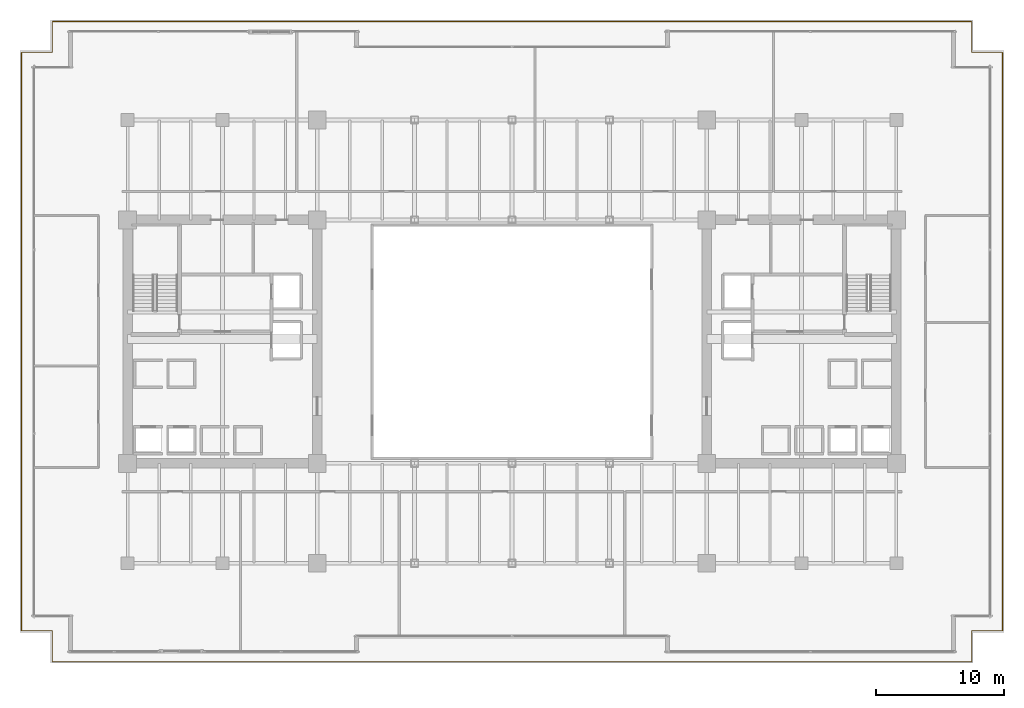
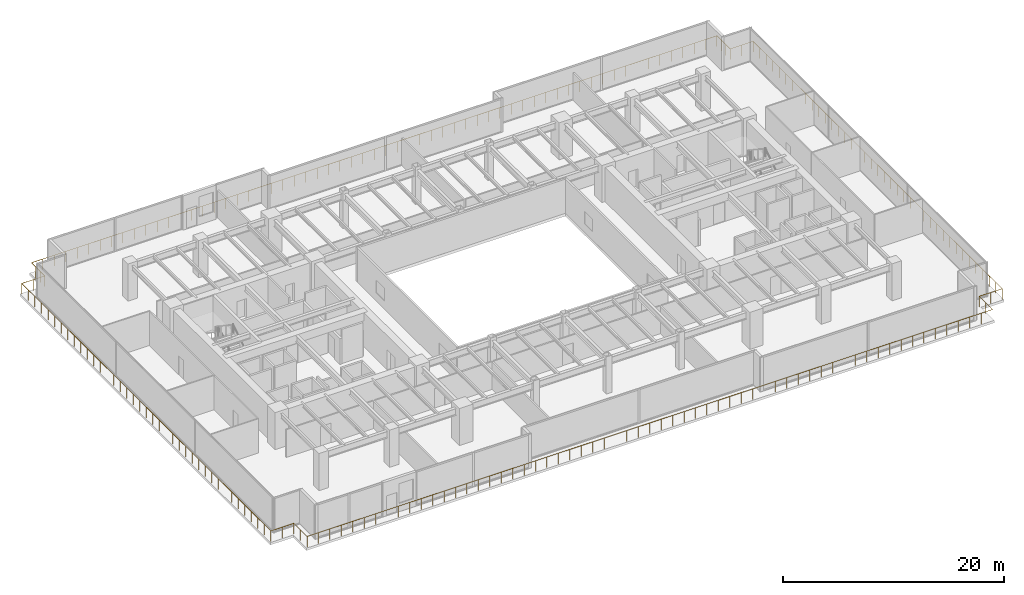
# One storey, part 35 of 36: 1 railing.
"""IFC4 building model written with IfcOpenShell, lengths in metres."""

from ifc_helpers import new_model, si_unit, direction, frame, origin, origin_2d, place, context, subcontext, project, spatial, circle, extrude, source, transform, mapped, material, type_object, type_shapes, element, save


model = new_model("IFC4")

# Units and contexts
model_context = context("Model", 3, precision=1e-05, world=origin(), true_north=direction((0.0, 1.0)))
body_context = subcontext(model_context, "Body", "Model", "MODEL_VIEW")
ifc_project = project(units=[si_unit("LENGTHUNIT", "METRE"), si_unit("AREAUNIT", "SQUARE_METRE"), si_unit("VOLUMEUNIT", "CUBIC_METRE"), si_unit("PLANEANGLEUNIT", "RADIAN"), si_unit("MASSUNIT", "GRAM", prefix="KILO")], contexts=[model_context])

# Site, building, storey
site_placement = place(None, origin())
site = spatial("IfcSite", under=ifc_project, at=site_placement, CompositionType="ELEMENT")
building_placement = place(site_placement, origin())
building = spatial("IfcBuilding", under=site, at=building_placement, Name="Haelvirn Gate Laboratories", CompositionType="ELEMENT")
storey_placement = place(building_placement, frame((0.0, 0.0, 25.199951171875)))
storey = spatial("IfcBuildingStorey", under=building, at=storey_placement, Name="L06", CompositionType="ELEMENT", Elevation=25.199951171875)

# Railing
ifc_material = material(Name="Laminated safety glass & bronze stainless steel 316L", Category="steel")
railing_type = type_object("IfcRailingType", Name="RLG-BAL-1200", PredefinedType="BALUSTRADE", material=ifc_material)
shared_shape = source(origin(), body_context, "Body", "SweptSolid", [
    extrude(circle(Radius=0.02392578125, at=origin_2d()), frame((0.0, 0.0, 1.17578125), z_axis=(1.0, 0.0, 0.0), x_axis=(0.0, 1.0, 0.0)), (0.0, 0.0, 1.0), 71.760009765625),
    extrude(circle(Radius=0.02392578125, at=origin_2d()), frame((71.760009765625, 0.0, 1.17578125), z_axis=(0.0, 1.0, 0.0), x_axis=(-1.0, 0.0, 0.0)), (0.0, 0.0, 1.0), 2.39990234375),
    extrude(circle(Radius=0.02392578125, at=origin_2d()), frame((71.760009765625, 2.39990234375, 1.17578125), z_axis=(1.0, 0.0, 0.0), x_axis=(0.0, 1.0, 0.0)), (0.0, 0.0, 1.0), 2.39990234375),
    extrude(circle(Radius=0.02392578125, at=origin_2d()), frame((74.159912109375, 2.39990234375, 1.17578125), z_axis=(0.0, 1.0, 0.0), x_axis=(-1.0, 0.0, 0.0)), (0.0, 0.0, 1.0), 45.159912109375),
    extrude(circle(Radius=0.02392578125, at=origin_2d()), frame((74.159912109375, 47.559814453125, 1.17578125), z_axis=(-1.0, 0.0, 0.0), x_axis=(0.0, -1.0, 0.0)), (0.0, 0.0, 1.0), 2.39990234375),
    extrude(circle(Radius=0.02392578125, at=origin_2d()), frame((71.760009765625, 47.559814453125, 1.17578125), z_axis=(0.0, 1.0, 0.0), x_axis=(-1.0, 0.0, 0.0)), (0.0, 0.0, 1.0), 2.400146484375),
    extrude(circle(Radius=0.02392578125, at=origin_2d()), frame((71.760009765625, 49.9599609375, 1.17578125), z_axis=(-1.0, 0.0, 0.0), x_axis=(0.0, -1.0, 0.0)), (0.0, 0.0, 1.0), 71.760009765625),
    extrude(circle(Radius=0.02392578125, at=origin_2d()), frame((0.0, 49.9599609375, 1.17578125), z_axis=(0.0, -1.0, 0.0), x_axis=(1.0, 0.0, 0.0)), (0.0, 0.0, 1.0), 2.400146484375),
    extrude(circle(Radius=0.02392578125, at=origin_2d()), frame((0.0, 47.559814453125, 1.17578125), z_axis=(-1.0, 0.0, 0.0), x_axis=(0.0, -1.0, 0.0)), (0.0, 0.0, 1.0), 2.39990234375),
    extrude(circle(Radius=0.02392578125, at=origin_2d()), frame((-2.39990234375, 47.559814453125, 1.17578125), z_axis=(0.0, -1.0, 0.0), x_axis=(1.0, 0.0, 0.0)), (0.0, 0.0, 1.0), 45.159912109375),
    extrude(circle(Radius=0.02392578125, at=origin_2d()), frame((-2.39990234375, 2.39990234375, 1.17578125), z_axis=(1.0, 0.0, 0.0), x_axis=(0.0, 1.0, 0.0)), (0.0, 0.0, 1.0), 2.39990234375),
    extrude(circle(Radius=0.02392578125, at=origin_2d()), frame((0.0, 2.39990234375, 1.17578125), z_axis=(0.0, -1.0, 0.0), x_axis=(1.0, 0.0, 0.0)), (0.0, 0.0, 1.0), 2.39990234375),
    extrude(circle(Radius=0.02099609375, at=origin_2d()), origin(), (0.0, 0.0, 1.0), 1.15185546875),
    extrude(circle(Radius=0.02099609375, at=origin_2d()), frame((1.196044921875, 0.0, 0.0)), (0.0, 0.0, 1.0), 1.15185546875),
    extrude(circle(Radius=0.02099609375, at=origin_2d()), frame((2.39208984375, 0.0, 0.0)), (0.0, 0.0, 1.0), 1.15185546875),
    extrude(circle(Radius=0.02099609375, at=origin_2d()), frame((3.587890625, 0.0, 0.0)), (0.0, 0.0, 1.0), 1.15185546875),
    extrude(circle(Radius=0.02099609375, at=origin_2d()), frame((4.783935546875, 0.0, 0.0)), (0.0, 0.0, 1.0), 1.15185546875),
    extrude(circle(Radius=0.02099609375, at=origin_2d()), frame((5.97998046875, 0.0, 0.0)), (0.0, 0.0, 1.0), 1.15185546875),
    extrude(circle(Radius=0.02099609375, at=origin_2d()), frame((7.176025390625, 0.0, 0.0)), (0.0, 0.0, 1.0), 1.15185546875),
    extrude(circle(Radius=0.02099609375, at=origin_2d()), frame((8.3720703125, 0.0, 0.0)), (0.0, 0.0, 1.0), 1.15185546875),
    extrude(circle(Radius=0.02099609375, at=origin_2d()), frame((9.568115234375, 0.0, 0.0)), (0.0, 0.0, 1.0), 1.15185546875),
    extrude(circle(Radius=0.02099609375, at=origin_2d()), frame((10.763916015625, 0.0, 0.0)), (0.0, 0.0, 1.0), 1.15185546875),
    extrude(circle(Radius=0.02099609375, at=origin_2d()), frame((11.9599609375, 0.0, 0.0)), (0.0, 0.0, 1.0), 1.15185546875),
    extrude(circle(Radius=0.02099609375, at=origin_2d()), frame((13.156005859375, 0.0, 0.0)), (0.0, 0.0, 1.0), 1.15185546875),
    extrude(circle(Radius=0.02099609375, at=origin_2d()), frame((14.35205078125, 0.0, 0.0)), (0.0, 0.0, 1.0), 1.15185546875),
    extrude(circle(Radius=0.02099609375, at=origin_2d()), frame((15.548095703125, 0.0, 0.0)), (0.0, 0.0, 1.0), 1.15185546875),
    extrude(circle(Radius=0.02099609375, at=origin_2d()), frame((16.743896484375, 0.0, 0.0)), (0.0, 0.0, 1.0), 1.15185546875),
    extrude(circle(Radius=0.02099609375, at=origin_2d()), frame((17.93994140625, 0.0, 0.0)), (0.0, 0.0, 1.0), 1.15185546875),
    extrude(circle(Radius=0.02099609375, at=origin_2d()), frame((19.135986328125, 0.0, 0.0)), (0.0, 0.0, 1.0), 1.15185546875),
    extrude(circle(Radius=0.02099609375, at=origin_2d()), frame((20.33203125, 0.0, 0.0)), (0.0, 0.0, 1.0), 1.15185546875),
    extrude(circle(Radius=0.02099609375, at=origin_2d()), frame((21.528076171875, 0.0, 0.0)), (0.0, 0.0, 1.0), 1.15185546875),
    extrude(circle(Radius=0.02099609375, at=origin_2d()), frame((22.72412109375, 0.0, 0.0)), (0.0, 0.0, 1.0), 1.15185546875),
    extrude(circle(Radius=0.02099609375, at=origin_2d()), frame((23.919921875, 0.0, 0.0)), (0.0, 0.0, 1.0), 1.15185546875),
    extrude(circle(Radius=0.02099609375, at=origin_2d()), frame((25.115966796875, 0.0, 0.0)), (0.0, 0.0, 1.0), 1.15185546875),
    extrude(circle(Radius=0.02099609375, at=origin_2d()), frame((26.31201171875, 0.0, 0.0)), (0.0, 0.0, 1.0), 1.15185546875),
    extrude(circle(Radius=0.02099609375, at=origin_2d()), frame((27.508056640625, 0.0, 0.0)), (0.0, 0.0, 1.0), 1.15185546875),
    extrude(circle(Radius=0.02099609375, at=origin_2d()), frame((28.7041015625, 0.0, 0.0)), (0.0, 0.0, 1.0), 1.15185546875),
    extrude(circle(Radius=0.02099609375, at=origin_2d()), frame((29.89990234375, 0.0, 0.0)), (0.0, 0.0, 1.0), 1.15185546875),
    extrude(circle(Radius=0.02099609375, at=origin_2d()), frame((31.095947265625, 0.0, 0.0)), (0.0, 0.0, 1.0), 1.15185546875),
    extrude(circle(Radius=0.02099609375, at=origin_2d()), frame((32.2919921875, 0.0, 0.0)), (0.0, 0.0, 1.0), 1.15185546875),
    extrude(circle(Radius=0.02099609375, at=origin_2d()), frame((33.488037109375, 0.0, 0.0)), (0.0, 0.0, 1.0), 1.15185546875),
    extrude(circle(Radius=0.02099609375, at=origin_2d()), frame((34.68408203125, 0.0, 0.0)), (0.0, 0.0, 1.0), 1.15185546875),
    extrude(circle(Radius=0.02099609375, at=origin_2d()), frame((35.8798828125, 0.0, 0.0)), (0.0, 0.0, 1.0), 1.15185546875),
    extrude(circle(Radius=0.02099609375, at=origin_2d()), frame((37.075927734375, 0.0, 0.0)), (0.0, 0.0, 1.0), 1.15185546875),
    extrude(circle(Radius=0.02099609375, at=origin_2d()), frame((38.27197265625, 0.0, 0.0)), (0.0, 0.0, 1.0), 1.15185546875),
    extrude(circle(Radius=0.02099609375, at=origin_2d()), frame((39.468017578125, 0.0, 0.0)), (0.0, 0.0, 1.0), 1.15185546875),
    extrude(circle(Radius=0.02099609375, at=origin_2d()), frame((40.6640625, 0.0, 0.0)), (0.0, 0.0, 1.0), 1.15185546875),
    extrude(circle(Radius=0.02099609375, at=origin_2d()), frame((41.860107421875, 0.0, 0.0)), (0.0, 0.0, 1.0), 1.15185546875),
    extrude(circle(Radius=0.02099609375, at=origin_2d()), frame((43.055908203125, 0.0, 0.0)), (0.0, 0.0, 1.0), 1.15185546875),
    extrude(circle(Radius=0.02099609375, at=origin_2d()), frame((44.251953125, 0.0, 0.0)), (0.0, 0.0, 1.0), 1.15185546875),
    extrude(circle(Radius=0.02099609375, at=origin_2d()), frame((45.447998046875, 0.0, 0.0)), (0.0, 0.0, 1.0), 1.15185546875),
    extrude(circle(Radius=0.02099609375, at=origin_2d()), frame((46.64404296875, 0.0, 0.0)), (0.0, 0.0, 1.0), 1.15185546875),
    extrude(circle(Radius=0.02099609375, at=origin_2d()), frame((47.840087890625, 0.0, 0.0)), (0.0, 0.0, 1.0), 1.15185546875),
    extrude(circle(Radius=0.02099609375, at=origin_2d()), frame((49.035888671875, 0.0, 0.0)), (0.0, 0.0, 1.0), 1.15185546875),
    extrude(circle(Radius=0.02099609375, at=origin_2d()), frame((50.23193359375, 0.0, 0.0)), (0.0, 0.0, 1.0), 1.15185546875),
    extrude(circle(Radius=0.02099609375, at=origin_2d()), frame((51.427978515625, 0.0, 0.0)), (0.0, 0.0, 1.0), 1.15185546875),
    extrude(circle(Radius=0.02099609375, at=origin_2d()), frame((52.6240234375, 0.0, 0.0)), (0.0, 0.0, 1.0), 1.15185546875),
    extrude(circle(Radius=0.02099609375, at=origin_2d()), frame((53.820068359375, 0.0, 0.0)), (0.0, 0.0, 1.0), 1.15185546875),
    extrude(circle(Radius=0.02099609375, at=origin_2d()), frame((55.01611328125, 0.0, 0.0)), (0.0, 0.0, 1.0), 1.15185546875),
    extrude(circle(Radius=0.02099609375, at=origin_2d()), frame((56.2119140625, 0.0, 0.0)), (0.0, 0.0, 1.0), 1.15185546875),
    extrude(circle(Radius=0.02099609375, at=origin_2d()), frame((57.407958984375, 0.0, 0.0)), (0.0, 0.0, 1.0), 1.15185546875),
    extrude(circle(Radius=0.02099609375, at=origin_2d()), frame((58.60400390625, 0.0, 0.0)), (0.0, 0.0, 1.0), 1.15185546875),
    extrude(circle(Radius=0.02099609375, at=origin_2d()), frame((59.800048828125, 0.0, 0.0)), (0.0, 0.0, 1.0), 1.15185546875),
    extrude(circle(Radius=0.02099609375, at=origin_2d()), frame((60.99609375, 0.0, 0.0)), (0.0, 0.0, 1.0), 1.15185546875),
    extrude(circle(Radius=0.02099609375, at=origin_2d()), frame((62.19189453125, 0.0, 0.0)), (0.0, 0.0, 1.0), 1.15185546875),
    extrude(circle(Radius=0.02099609375, at=origin_2d()), frame((63.387939453125, 0.0, 0.0)), (0.0, 0.0, 1.0), 1.15185546875),
    extrude(circle(Radius=0.02099609375, at=origin_2d()), frame((64.583984375, 0.0, 0.0)), (0.0, 0.0, 1.0), 1.15185546875),
    extrude(circle(Radius=0.02099609375, at=origin_2d()), frame((65.780029296875, 0.0, 0.0)), (0.0, 0.0, 1.0), 1.15185546875),
    extrude(circle(Radius=0.02099609375, at=origin_2d()), frame((66.97607421875, 0.0, 0.0)), (0.0, 0.0, 1.0), 1.15185546875),
    extrude(circle(Radius=0.02099609375, at=origin_2d()), frame((68.172119140625, 0.0, 0.0)), (0.0, 0.0, 1.0), 1.15185546875),
    extrude(circle(Radius=0.02099609375, at=origin_2d()), frame((69.367919921875, 0.0, 0.0)), (0.0, 0.0, 1.0), 1.15185546875),
    extrude(circle(Radius=0.02099609375, at=origin_2d()), frame((70.56396484375, 0.0, 0.0)), (0.0, 0.0, 1.0), 1.15185546875),
    extrude(circle(Radius=0.02099609375, at=origin_2d()), frame((71.760009765625, 0.0, 0.0)), (0.0, 0.0, 1.0), 1.15185546875),
    extrude(circle(Radius=0.02099609375, at=origin_2d()), frame((71.760009765625, 1.199951171875, 0.0)), (0.0, 0.0, 1.0), 1.15185546875),
    extrude(circle(Radius=0.02099609375, at=origin_2d()), frame((71.760009765625, 2.39990234375, 0.0)), (0.0, 0.0, 1.0), 1.15185546875),
    extrude(circle(Radius=0.02099609375, at=origin_2d()), frame((72.9599609375, 2.39990234375, 0.0)), (0.0, 0.0, 1.0), 1.15185546875),
    extrude(circle(Radius=0.02099609375, at=origin_2d()), frame((74.159912109375, 2.39990234375, 0.0)), (0.0, 0.0, 1.0), 1.15185546875),
    extrude(circle(Radius=0.02099609375, at=origin_2d()), frame((74.159912109375, 3.58837890625, 0.0)), (0.0, 0.0, 1.0), 1.15185546875),
    extrude(circle(Radius=0.02099609375, at=origin_2d()), frame((74.159912109375, 4.77685546875, 0.0)), (0.0, 0.0, 1.0), 1.15185546875),
    extrude(circle(Radius=0.02099609375, at=origin_2d()), frame((74.159912109375, 5.965087890625, 0.0)), (0.0, 0.0, 1.0), 1.15185546875),
    extrude(circle(Radius=0.02099609375, at=origin_2d()), frame((74.159912109375, 7.153564453125, 0.0)), (0.0, 0.0, 1.0), 1.15185546875),
    extrude(circle(Radius=0.02099609375, at=origin_2d()), frame((74.159912109375, 8.342041015625, 0.0)), (0.0, 0.0, 1.0), 1.15185546875),
    extrude(circle(Radius=0.02099609375, at=origin_2d()), frame((74.159912109375, 9.530517578125, 0.0)), (0.0, 0.0, 1.0), 1.15185546875),
    extrude(circle(Radius=0.02099609375, at=origin_2d()), frame((74.159912109375, 10.71875, 0.0)), (0.0, 0.0, 1.0), 1.15185546875),
    extrude(circle(Radius=0.02099609375, at=origin_2d()), frame((74.159912109375, 11.9072265625, 0.0)), (0.0, 0.0, 1.0), 1.15185546875),
    extrude(circle(Radius=0.02099609375, at=origin_2d()), frame((74.159912109375, 13.095703125, 0.0)), (0.0, 0.0, 1.0), 1.15185546875),
    extrude(circle(Radius=0.02099609375, at=origin_2d()), frame((74.159912109375, 14.2841796875, 0.0)), (0.0, 0.0, 1.0), 1.15185546875),
    extrude(circle(Radius=0.02099609375, at=origin_2d()), frame((74.159912109375, 15.472412109375, 0.0)), (0.0, 0.0, 1.0), 1.15185546875),
    extrude(circle(Radius=0.02099609375, at=origin_2d()), frame((74.159912109375, 16.660888671875, 0.0)), (0.0, 0.0, 1.0), 1.15185546875),
    extrude(circle(Radius=0.02099609375, at=origin_2d()), frame((74.159912109375, 17.849365234375, 0.0)), (0.0, 0.0, 1.0), 1.15185546875),
    extrude(circle(Radius=0.02099609375, at=origin_2d()), frame((74.159912109375, 19.037841796875, 0.0)), (0.0, 0.0, 1.0), 1.15185546875),
    extrude(circle(Radius=0.02099609375, at=origin_2d()), frame((74.159912109375, 20.22607421875, 0.0)), (0.0, 0.0, 1.0), 1.15185546875),
    extrude(circle(Radius=0.02099609375, at=origin_2d()), frame((74.159912109375, 21.41455078125, 0.0)), (0.0, 0.0, 1.0), 1.15185546875),
    extrude(circle(Radius=0.02099609375, at=origin_2d()), frame((74.159912109375, 22.60302734375, 0.0)), (0.0, 0.0, 1.0), 1.15185546875),
    extrude(circle(Radius=0.02099609375, at=origin_2d()), frame((74.159912109375, 23.79150390625, 0.0)), (0.0, 0.0, 1.0), 1.15185546875),
    extrude(circle(Radius=0.02099609375, at=origin_2d()), frame((74.159912109375, 24.97998046875, 0.0)), (0.0, 0.0, 1.0), 1.15185546875),
    extrude(circle(Radius=0.02099609375, at=origin_2d()), frame((74.159912109375, 26.168212890625, 0.0)), (0.0, 0.0, 1.0), 1.15185546875),
    extrude(circle(Radius=0.02099609375, at=origin_2d()), frame((74.159912109375, 27.356689453125, 0.0)), (0.0, 0.0, 1.0), 1.15185546875),
    extrude(circle(Radius=0.02099609375, at=origin_2d()), frame((74.159912109375, 28.545166015625, 0.0)), (0.0, 0.0, 1.0), 1.15185546875),
    extrude(circle(Radius=0.02099609375, at=origin_2d()), frame((74.159912109375, 29.733642578125, 0.0)), (0.0, 0.0, 1.0), 1.15185546875),
    extrude(circle(Radius=0.02099609375, at=origin_2d()), frame((74.159912109375, 30.921875, 0.0)), (0.0, 0.0, 1.0), 1.15185546875),
    extrude(circle(Radius=0.02099609375, at=origin_2d()), frame((74.159912109375, 32.1103515625, 0.0)), (0.0, 0.0, 1.0), 1.15185546875),
    extrude(circle(Radius=0.02099609375, at=origin_2d()), frame((74.159912109375, 33.298828125, 0.0)), (0.0, 0.0, 1.0), 1.15185546875),
    extrude(circle(Radius=0.02099609375, at=origin_2d()), frame((74.159912109375, 34.4873046875, 0.0)), (0.0, 0.0, 1.0), 1.15185546875),
    extrude(circle(Radius=0.02099609375, at=origin_2d()), frame((74.159912109375, 35.675537109375, 0.0)), (0.0, 0.0, 1.0), 1.15185546875),
    extrude(circle(Radius=0.02099609375, at=origin_2d()), frame((74.159912109375, 36.864013671875, 0.0)), (0.0, 0.0, 1.0), 1.15185546875),
    extrude(circle(Radius=0.02099609375, at=origin_2d()), frame((74.159912109375, 38.052490234375, 0.0)), (0.0, 0.0, 1.0), 1.15185546875),
    extrude(circle(Radius=0.02099609375, at=origin_2d()), frame((74.159912109375, 39.240966796875, 0.0)), (0.0, 0.0, 1.0), 1.15185546875),
    extrude(circle(Radius=0.02099609375, at=origin_2d()), frame((74.159912109375, 40.42919921875, 0.0)), (0.0, 0.0, 1.0), 1.15185546875),
    extrude(circle(Radius=0.02099609375, at=origin_2d()), frame((74.159912109375, 41.61767578125, 0.0)), (0.0, 0.0, 1.0), 1.15185546875),
    extrude(circle(Radius=0.02099609375, at=origin_2d()), frame((74.159912109375, 42.80615234375, 0.0)), (0.0, 0.0, 1.0), 1.15185546875),
    extrude(circle(Radius=0.02099609375, at=origin_2d()), frame((74.159912109375, 43.99462890625, 0.0)), (0.0, 0.0, 1.0), 1.15185546875),
    extrude(circle(Radius=0.02099609375, at=origin_2d()), frame((74.159912109375, 45.182861328125, 0.0)), (0.0, 0.0, 1.0), 1.15185546875),
    extrude(circle(Radius=0.02099609375, at=origin_2d()), frame((74.159912109375, 46.371337890625, 0.0)), (0.0, 0.0, 1.0), 1.15185546875),
    extrude(circle(Radius=0.02099609375, at=origin_2d()), frame((74.159912109375, 47.559814453125, 0.0)), (0.0, 0.0, 1.0), 1.15185546875),
    extrude(circle(Radius=0.02099609375, at=origin_2d()), frame((72.9599609375, 47.559814453125, 0.0)), (0.0, 0.0, 1.0), 1.15185546875),
    extrude(circle(Radius=0.02099609375, at=origin_2d()), frame((71.760009765625, 47.559814453125, 0.0)), (0.0, 0.0, 1.0), 1.15185546875),
    extrude(circle(Radius=0.02099609375, at=origin_2d()), frame((71.760009765625, 48.35986328125, 0.0)), (0.0, 0.0, 1.0), 1.15185546875),
    extrude(circle(Radius=0.02099609375, at=origin_2d()), frame((71.760009765625, 49.159912109375, 0.0)), (0.0, 0.0, 1.0), 1.15185546875),
    extrude(circle(Radius=0.02099609375, at=origin_2d()), frame((71.760009765625, 49.9599609375, 0.0)), (0.0, 0.0, 1.0), 1.15185546875),
    extrude(circle(Radius=0.02099609375, at=origin_2d()), frame((70.56396484375, 49.9599609375, 0.0)), (0.0, 0.0, 1.0), 1.15185546875),
    extrude(circle(Radius=0.02099609375, at=origin_2d()), frame((69.367919921875, 49.9599609375, 0.0)), (0.0, 0.0, 1.0), 1.15185546875),
    extrude(circle(Radius=0.02099609375, at=origin_2d()), frame((68.172119140625, 49.9599609375, 0.0)), (0.0, 0.0, 1.0), 1.15185546875),
    extrude(circle(Radius=0.02099609375, at=origin_2d()), frame((66.97607421875, 49.9599609375, 0.0)), (0.0, 0.0, 1.0), 1.15185546875),
    extrude(circle(Radius=0.02099609375, at=origin_2d()), frame((65.780029296875, 49.9599609375, 0.0)), (0.0, 0.0, 1.0), 1.15185546875),
    extrude(circle(Radius=0.02099609375, at=origin_2d()), frame((64.583984375, 49.9599609375, 0.0)), (0.0, 0.0, 1.0), 1.15185546875),
    extrude(circle(Radius=0.02099609375, at=origin_2d()), frame((63.387939453125, 49.9599609375, 0.0)), (0.0, 0.0, 1.0), 1.15185546875),
    extrude(circle(Radius=0.02099609375, at=origin_2d()), frame((62.19189453125, 49.9599609375, 0.0)), (0.0, 0.0, 1.0), 1.15185546875),
    extrude(circle(Radius=0.02099609375, at=origin_2d()), frame((60.99609375, 49.9599609375, 0.0)), (0.0, 0.0, 1.0), 1.15185546875),
    extrude(circle(Radius=0.02099609375, at=origin_2d()), frame((59.800048828125, 49.9599609375, 0.0)), (0.0, 0.0, 1.0), 1.15185546875),
    extrude(circle(Radius=0.02099609375, at=origin_2d()), frame((58.60400390625, 49.9599609375, 0.0)), (0.0, 0.0, 1.0), 1.15185546875),
    extrude(circle(Radius=0.02099609375, at=origin_2d()), frame((57.407958984375, 49.9599609375, 0.0)), (0.0, 0.0, 1.0), 1.15185546875),
    extrude(circle(Radius=0.02099609375, at=origin_2d()), frame((56.2119140625, 49.9599609375, 0.0)), (0.0, 0.0, 1.0), 1.15185546875),
    extrude(circle(Radius=0.02099609375, at=origin_2d()), frame((55.01611328125, 49.9599609375, 0.0)), (0.0, 0.0, 1.0), 1.15185546875),
    extrude(circle(Radius=0.02099609375, at=origin_2d()), frame((53.820068359375, 49.9599609375, 0.0)), (0.0, 0.0, 1.0), 1.15185546875),
    extrude(circle(Radius=0.02099609375, at=origin_2d()), frame((52.6240234375, 49.9599609375, 0.0)), (0.0, 0.0, 1.0), 1.15185546875),
    extrude(circle(Radius=0.02099609375, at=origin_2d()), frame((51.427978515625, 49.9599609375, 0.0)), (0.0, 0.0, 1.0), 1.15185546875),
    extrude(circle(Radius=0.02099609375, at=origin_2d()), frame((50.23193359375, 49.9599609375, 0.0)), (0.0, 0.0, 1.0), 1.15185546875),
    extrude(circle(Radius=0.02099609375, at=origin_2d()), frame((49.035888671875, 49.9599609375, 0.0)), (0.0, 0.0, 1.0), 1.15185546875),
    extrude(circle(Radius=0.02099609375, at=origin_2d()), frame((47.840087890625, 49.9599609375, 0.0)), (0.0, 0.0, 1.0), 1.15185546875),
    extrude(circle(Radius=0.02099609375, at=origin_2d()), frame((46.64404296875, 49.9599609375, 0.0)), (0.0, 0.0, 1.0), 1.15185546875),
    extrude(circle(Radius=0.02099609375, at=origin_2d()), frame((45.447998046875, 49.9599609375, 0.0)), (0.0, 0.0, 1.0), 1.15185546875),
    extrude(circle(Radius=0.02099609375, at=origin_2d()), frame((44.251953125, 49.9599609375, 0.0)), (0.0, 0.0, 1.0), 1.15185546875),
    extrude(circle(Radius=0.02099609375, at=origin_2d()), frame((43.055908203125, 49.9599609375, 0.0)), (0.0, 0.0, 1.0), 1.15185546875),
    extrude(circle(Radius=0.02099609375, at=origin_2d()), frame((41.860107421875, 49.9599609375, 0.0)), (0.0, 0.0, 1.0), 1.15185546875),
    extrude(circle(Radius=0.02099609375, at=origin_2d()), frame((40.6640625, 49.9599609375, 0.0)), (0.0, 0.0, 1.0), 1.15185546875),
    extrude(circle(Radius=0.02099609375, at=origin_2d()), frame((39.468017578125, 49.9599609375, 0.0)), (0.0, 0.0, 1.0), 1.15185546875),
    extrude(circle(Radius=0.02099609375, at=origin_2d()), frame((38.27197265625, 49.9599609375, 0.0)), (0.0, 0.0, 1.0), 1.15185546875),
    extrude(circle(Radius=0.02099609375, at=origin_2d()), frame((37.075927734375, 49.9599609375, 0.0)), (0.0, 0.0, 1.0), 1.15185546875),
    extrude(circle(Radius=0.02099609375, at=origin_2d()), frame((35.8798828125, 49.9599609375, 0.0)), (0.0, 0.0, 1.0), 1.15185546875),
    extrude(circle(Radius=0.02099609375, at=origin_2d()), frame((34.68408203125, 49.9599609375, 0.0)), (0.0, 0.0, 1.0), 1.15185546875),
    extrude(circle(Radius=0.02099609375, at=origin_2d()), frame((33.488037109375, 49.9599609375, 0.0)), (0.0, 0.0, 1.0), 1.15185546875),
    extrude(circle(Radius=0.02099609375, at=origin_2d()), frame((32.2919921875, 49.9599609375, 0.0)), (0.0, 0.0, 1.0), 1.15185546875),
    extrude(circle(Radius=0.02099609375, at=origin_2d()), frame((31.095947265625, 49.9599609375, 0.0)), (0.0, 0.0, 1.0), 1.15185546875),
    extrude(circle(Radius=0.02099609375, at=origin_2d()), frame((29.89990234375, 49.9599609375, 0.0)), (0.0, 0.0, 1.0), 1.15185546875),
    extrude(circle(Radius=0.02099609375, at=origin_2d()), frame((28.7041015625, 49.9599609375, 0.0)), (0.0, 0.0, 1.0), 1.15185546875),
    extrude(circle(Radius=0.02099609375, at=origin_2d()), frame((27.508056640625, 49.9599609375, 0.0)), (0.0, 0.0, 1.0), 1.15185546875),
    extrude(circle(Radius=0.02099609375, at=origin_2d()), frame((26.31201171875, 49.9599609375, 0.0)), (0.0, 0.0, 1.0), 1.15185546875),
    extrude(circle(Radius=0.02099609375, at=origin_2d()), frame((25.115966796875, 49.9599609375, 0.0)), (0.0, 0.0, 1.0), 1.15185546875),
    extrude(circle(Radius=0.02099609375, at=origin_2d()), frame((23.919921875, 49.9599609375, 0.0)), (0.0, 0.0, 1.0), 1.15185546875),
    extrude(circle(Radius=0.02099609375, at=origin_2d()), frame((22.72412109375, 49.9599609375, 0.0)), (0.0, 0.0, 1.0), 1.15185546875),
    extrude(circle(Radius=0.02099609375, at=origin_2d()), frame((21.528076171875, 49.9599609375, 0.0)), (0.0, 0.0, 1.0), 1.15185546875),
    extrude(circle(Radius=0.02099609375, at=origin_2d()), frame((20.33203125, 49.9599609375, 0.0)), (0.0, 0.0, 1.0), 1.15185546875),
    extrude(circle(Radius=0.02099609375, at=origin_2d()), frame((19.135986328125, 49.9599609375, 0.0)), (0.0, 0.0, 1.0), 1.15185546875),
    extrude(circle(Radius=0.02099609375, at=origin_2d()), frame((17.93994140625, 49.9599609375, 0.0)), (0.0, 0.0, 1.0), 1.15185546875),
    extrude(circle(Radius=0.02099609375, at=origin_2d()), frame((16.743896484375, 49.9599609375, 0.0)), (0.0, 0.0, 1.0), 1.15185546875),
    extrude(circle(Radius=0.02099609375, at=origin_2d()), frame((15.548095703125, 49.9599609375, 0.0)), (0.0, 0.0, 1.0), 1.15185546875),
    extrude(circle(Radius=0.02099609375, at=origin_2d()), frame((14.35205078125, 49.9599609375, 0.0)), (0.0, 0.0, 1.0), 1.15185546875),
    extrude(circle(Radius=0.02099609375, at=origin_2d()), frame((13.156005859375, 49.9599609375, 0.0)), (0.0, 0.0, 1.0), 1.15185546875),
    extrude(circle(Radius=0.02099609375, at=origin_2d()), frame((11.9599609375, 49.9599609375, 0.0)), (0.0, 0.0, 1.0), 1.15185546875),
    extrude(circle(Radius=0.02099609375, at=origin_2d()), frame((10.763916015625, 49.9599609375, 0.0)), (0.0, 0.0, 1.0), 1.15185546875),
    extrude(circle(Radius=0.02099609375, at=origin_2d()), frame((9.568115234375, 49.9599609375, 0.0)), (0.0, 0.0, 1.0), 1.15185546875),
    extrude(circle(Radius=0.02099609375, at=origin_2d()), frame((8.3720703125, 49.9599609375, 0.0)), (0.0, 0.0, 1.0), 1.15185546875),
    extrude(circle(Radius=0.02099609375, at=origin_2d()), frame((7.176025390625, 49.9599609375, 0.0)), (0.0, 0.0, 1.0), 1.15185546875),
    extrude(circle(Radius=0.02099609375, at=origin_2d()), frame((5.97998046875, 49.9599609375, 0.0)), (0.0, 0.0, 1.0), 1.15185546875),
    extrude(circle(Radius=0.02099609375, at=origin_2d()), frame((4.783935546875, 49.9599609375, 0.0)), (0.0, 0.0, 1.0), 1.15185546875),
    extrude(circle(Radius=0.02099609375, at=origin_2d()), frame((3.587890625, 49.9599609375, 0.0)), (0.0, 0.0, 1.0), 1.15185546875),
    extrude(circle(Radius=0.02099609375, at=origin_2d()), frame((2.39208984375, 49.9599609375, 0.0)), (0.0, 0.0, 1.0), 1.15185546875),
    extrude(circle(Radius=0.02099609375, at=origin_2d()), frame((1.196044921875, 49.9599609375, 0.0)), (0.0, 0.0, 1.0), 1.15185546875),
    extrude(circle(Radius=0.02099609375, at=origin_2d()), frame((0.0, 49.9599609375, 0.0)), (0.0, 0.0, 1.0), 1.15185546875),
    extrude(circle(Radius=0.02099609375, at=origin_2d()), frame((0.0, 49.159912109375, 0.0)), (0.0, 0.0, 1.0), 1.15185546875),
    extrude(circle(Radius=0.02099609375, at=origin_2d()), frame((0.0, 48.35986328125, 0.0)), (0.0, 0.0, 1.0), 1.15185546875),
    extrude(circle(Radius=0.02099609375, at=origin_2d()), frame((0.0, 47.559814453125, 0.0)), (0.0, 0.0, 1.0), 1.15185546875),
    extrude(circle(Radius=0.02099609375, at=origin_2d()), frame((-1.199951171875, 47.559814453125, 0.0)), (0.0, 0.0, 1.0), 1.15185546875),
    extrude(circle(Radius=0.02099609375, at=origin_2d()), frame((-2.39990234375, 47.559814453125, 0.0)), (0.0, 0.0, 1.0), 1.15185546875),
    extrude(circle(Radius=0.02099609375, at=origin_2d()), frame((-2.39990234375, 46.371337890625, 0.0)), (0.0, 0.0, 1.0), 1.15185546875),
    extrude(circle(Radius=0.02099609375, at=origin_2d()), frame((-2.39990234375, 45.182861328125, 0.0)), (0.0, 0.0, 1.0), 1.15185546875),
    extrude(circle(Radius=0.02099609375, at=origin_2d()), frame((-2.39990234375, 43.99462890625, 0.0)), (0.0, 0.0, 1.0), 1.15185546875),
    extrude(circle(Radius=0.02099609375, at=origin_2d()), frame((-2.39990234375, 42.80615234375, 0.0)), (0.0, 0.0, 1.0), 1.15185546875),
    extrude(circle(Radius=0.02099609375, at=origin_2d()), frame((-2.39990234375, 41.61767578125, 0.0)), (0.0, 0.0, 1.0), 1.15185546875),
    extrude(circle(Radius=0.02099609375, at=origin_2d()), frame((-2.39990234375, 40.42919921875, 0.0)), (0.0, 0.0, 1.0), 1.15185546875),
    extrude(circle(Radius=0.02099609375, at=origin_2d()), frame((-2.39990234375, 39.240966796875, 0.0)), (0.0, 0.0, 1.0), 1.15185546875),
    extrude(circle(Radius=0.02099609375, at=origin_2d()), frame((-2.39990234375, 38.052490234375, 0.0)), (0.0, 0.0, 1.0), 1.15185546875),
    extrude(circle(Radius=0.02099609375, at=origin_2d()), frame((-2.39990234375, 36.864013671875, 0.0)), (0.0, 0.0, 1.0), 1.15185546875),
    extrude(circle(Radius=0.02099609375, at=origin_2d()), frame((-2.39990234375, 35.675537109375, 0.0)), (0.0, 0.0, 1.0), 1.15185546875),
    extrude(circle(Radius=0.02099609375, at=origin_2d()), frame((-2.39990234375, 34.4873046875, 0.0)), (0.0, 0.0, 1.0), 1.15185546875),
    extrude(circle(Radius=0.02099609375, at=origin_2d()), frame((-2.39990234375, 33.298828125, 0.0)), (0.0, 0.0, 1.0), 1.15185546875),
    extrude(circle(Radius=0.02099609375, at=origin_2d()), frame((-2.39990234375, 32.1103515625, 0.0)), (0.0, 0.0, 1.0), 1.15185546875),
    extrude(circle(Radius=0.02099609375, at=origin_2d()), frame((-2.39990234375, 30.921875, 0.0)), (0.0, 0.0, 1.0), 1.15185546875),
    extrude(circle(Radius=0.02099609375, at=origin_2d()), frame((-2.39990234375, 29.733642578125, 0.0)), (0.0, 0.0, 1.0), 1.15185546875),
    extrude(circle(Radius=0.02099609375, at=origin_2d()), frame((-2.39990234375, 28.545166015625, 0.0)), (0.0, 0.0, 1.0), 1.15185546875),
    extrude(circle(Radius=0.02099609375, at=origin_2d()), frame((-2.39990234375, 27.356689453125, 0.0)), (0.0, 0.0, 1.0), 1.15185546875),
    extrude(circle(Radius=0.02099609375, at=origin_2d()), frame((-2.39990234375, 26.168212890625, 0.0)), (0.0, 0.0, 1.0), 1.15185546875),
    extrude(circle(Radius=0.02099609375, at=origin_2d()), frame((-2.39990234375, 24.97998046875, 0.0)), (0.0, 0.0, 1.0), 1.15185546875),
    extrude(circle(Radius=0.02099609375, at=origin_2d()), frame((-2.39990234375, 23.79150390625, 0.0)), (0.0, 0.0, 1.0), 1.15185546875),
    extrude(circle(Radius=0.02099609375, at=origin_2d()), frame((-2.39990234375, 22.60302734375, 0.0)), (0.0, 0.0, 1.0), 1.15185546875),
    extrude(circle(Radius=0.02099609375, at=origin_2d()), frame((-2.39990234375, 21.41455078125, 0.0)), (0.0, 0.0, 1.0), 1.15185546875),
    extrude(circle(Radius=0.02099609375, at=origin_2d()), frame((-2.39990234375, 20.22607421875, 0.0)), (0.0, 0.0, 1.0), 1.15185546875),
    extrude(circle(Radius=0.02099609375, at=origin_2d()), frame((-2.39990234375, 19.037841796875, 0.0)), (0.0, 0.0, 1.0), 1.15185546875),
    extrude(circle(Radius=0.02099609375, at=origin_2d()), frame((-2.39990234375, 17.849365234375, 0.0)), (0.0, 0.0, 1.0), 1.15185546875),
    extrude(circle(Radius=0.02099609375, at=origin_2d()), frame((-2.39990234375, 16.660888671875, 0.0)), (0.0, 0.0, 1.0), 1.15185546875),
    extrude(circle(Radius=0.02099609375, at=origin_2d()), frame((-2.39990234375, 15.472412109375, 0.0)), (0.0, 0.0, 1.0), 1.15185546875),
    extrude(circle(Radius=0.02099609375, at=origin_2d()), frame((-2.39990234375, 14.2841796875, 0.0)), (0.0, 0.0, 1.0), 1.15185546875),
    extrude(circle(Radius=0.02099609375, at=origin_2d()), frame((-2.39990234375, 13.095703125, 0.0)), (0.0, 0.0, 1.0), 1.15185546875),
    extrude(circle(Radius=0.02099609375, at=origin_2d()), frame((-2.39990234375, 11.9072265625, 0.0)), (0.0, 0.0, 1.0), 1.15185546875),
    extrude(circle(Radius=0.02099609375, at=origin_2d()), frame((-2.39990234375, 10.71875, 0.0)), (0.0, 0.0, 1.0), 1.15185546875),
    extrude(circle(Radius=0.02099609375, at=origin_2d()), frame((-2.39990234375, 9.530517578125, 0.0)), (0.0, 0.0, 1.0), 1.15185546875),
    extrude(circle(Radius=0.02099609375, at=origin_2d()), frame((-2.39990234375, 8.342041015625, 0.0)), (0.0, 0.0, 1.0), 1.15185546875),
    extrude(circle(Radius=0.02099609375, at=origin_2d()), frame((-2.39990234375, 7.153564453125, 0.0)), (0.0, 0.0, 1.0), 1.15185546875),
    extrude(circle(Radius=0.02099609375, at=origin_2d()), frame((-2.39990234375, 5.965087890625, 0.0)), (0.0, 0.0, 1.0), 1.15185546875),
    extrude(circle(Radius=0.02099609375, at=origin_2d()), frame((-2.39990234375, 4.77685546875, 0.0)), (0.0, 0.0, 1.0), 1.15185546875),
    extrude(circle(Radius=0.02099609375, at=origin_2d()), frame((-2.39990234375, 3.58837890625, 0.0)), (0.0, 0.0, 1.0), 1.15185546875),
    extrude(circle(Radius=0.02099609375, at=origin_2d()), frame((-2.39990234375, 2.39990234375, 0.0)), (0.0, 0.0, 1.0), 1.15185546875),
    extrude(circle(Radius=0.02099609375, at=origin_2d()), frame((-1.199951171875, 2.39990234375, 0.0)), (0.0, 0.0, 1.0), 1.15185546875),
    extrude(circle(Radius=0.02099609375, at=origin_2d()), frame((0.0, 2.39990234375, 0.0)), (0.0, 0.0, 1.0), 1.15185546875),
    extrude(circle(Radius=0.02099609375, at=origin_2d()), frame((0.0, 1.199951171875, 0.0)), (0.0, 0.0, 1.0), 1.15185546875),
])
type_shapes(railing_type, [shared_shape])
railing_placement = place(storey_placement, frame((1.52001953125, -0.679931640625, 0.0)))
element("IfcRailing", 1, at=railing_placement, inside=storey, type_object=railing_type, Name="L06 Setback Terrace Perimeter Guardrail", PredefinedType="BALUSTRADE", context=body_context, shape_type="MappedRepresentation", body=[
    mapped(shared_shape, transform((0.0, 0.0, 0.0), scale=1.0)),
])

save(model, "model.ifc")
